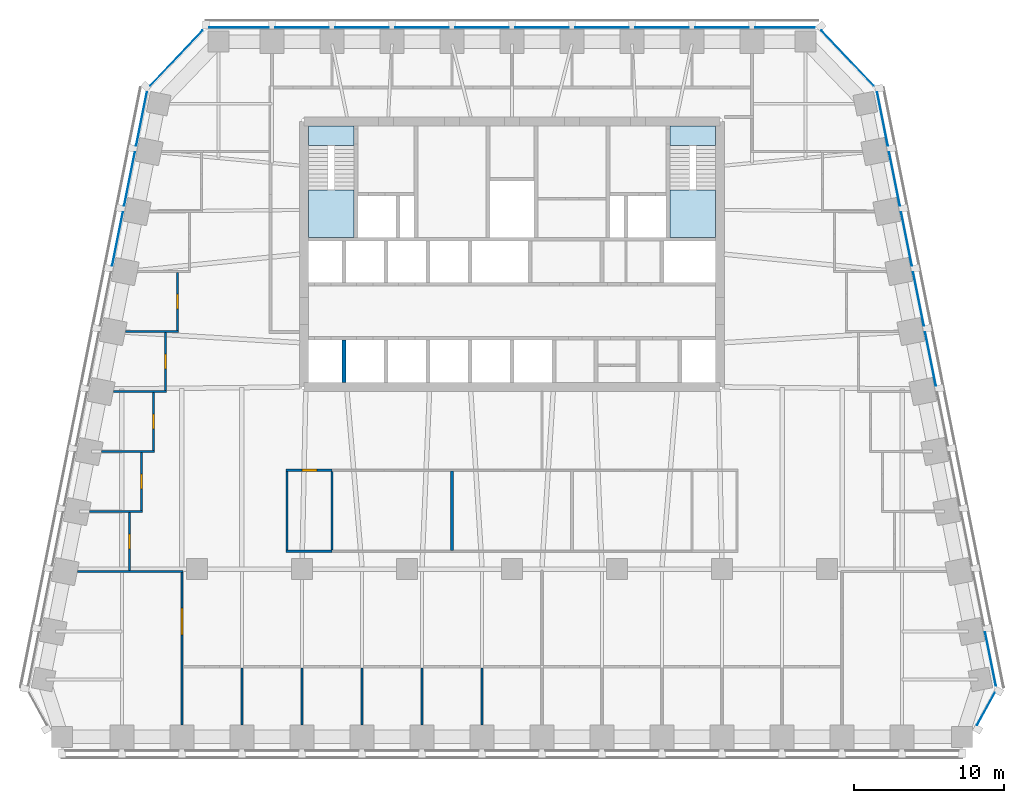
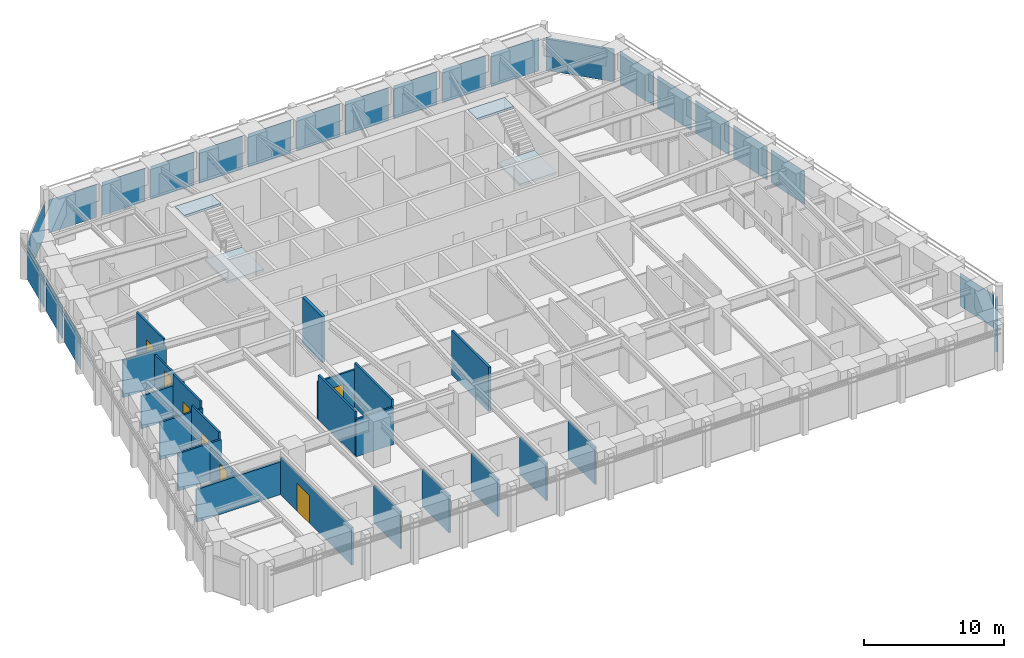
# One storey, part 5 of 11: 22 plates, 22 walls, 7 doors, 4 slabs, 7 openings, 8 elements without a shape of their own.
"""IFC4 building model written with IfcOpenShell, lengths in metres."""

from ifc_helpers import new_model, si_unit, direction, frame, frame_2d, origin, origin_2d, place, context, subcontext, project, spatial, polyline, rectangle, outline, extrude, material, layer, layer_set, type_object, element, fill, aggregate, save


model = new_model("IFC4")

# Units and contexts
model_context = context("Model", 3, precision=1e-05, world=origin(), true_north=direction((0.0, 1.0)))
body_context = subcontext(model_context, "Body", "Model", "MODEL_VIEW")
ifc_project = project(units=[si_unit("LENGTHUNIT", "METRE"), si_unit("AREAUNIT", "SQUARE_METRE"), si_unit("VOLUMEUNIT", "CUBIC_METRE"), si_unit("PLANEANGLEUNIT", "RADIAN"), si_unit("MASSUNIT", "GRAM", prefix="KILO")], contexts=[model_context])

# Site, building, storey
site_placement = place(None, origin())
site = spatial("IfcSite", under=ifc_project, at=site_placement, CompositionType="ELEMENT")
building_placement = place(site_placement, origin())
building = spatial("IfcBuilding", under=site, at=building_placement, Name="Isbrekke Arena Tower", CompositionType="ELEMENT")
storey_placement = place(building_placement, frame((0.0, 0.0, 206.0)))
storey = spatial("IfcBuildingStorey", under=building, at=storey_placement, Name="L47", CompositionType="ELEMENT", Elevation=206.0)

# Curtain wall, plate
ifc_material_1 = material(Name="Glazed aluminium curtain wall", Category="aluminium")
curtain_wall_type = type_object("IfcCurtainWallType", Name="CWH TOWER CURTAIN WALL HIGH ZONE", PredefinedType="USERDEFINED", material=ifc_material_1)
curtain_wall_1_placement = place(storey_placement, origin())
curtain_wall_1 = element("IfcCurtainWall", 1, at=curtain_wall_1_placement, inside=storey, type_object=curtain_wall_type, Name="CWH curtain wall L47-SE", ObjectType="TOWER CURTAIN WALL HIGH ZONE", PredefinedType="USERDEFINED")
ifc_material_2 = material(Name="Triple-glazed clear glass unit", Category="glass")
ifc_layer_1 = layer(ifc_material_2, 0.031982421875)
ifc_layer_set_1 = layer_set([ifc_layer_1], Name="CWH-P VISION PANEL")
plate_type = type_object("IfcPlateType", Name="CWH-P VISION PANEL", PredefinedType="CURTAIN_PANEL", material=ifc_layer_set_1)
plate_1_placement = place(storey_placement, frame((31.5908203125, -15.3154296875, 0.02001953125), z_axis=(0.0, 0.0, 1.0), x_axis=(0.481918749773, 0.876215908676, 0.0)))
plate_1 = element("IfcPlate", 2, at=plate_1_placement, type_object=plate_type, Name="CWH-P panel 1", PredefinedType="CURTAIN_PANEL", context=body_context, shape_type="SweptSolid", body=[
    extrude(rectangle(XDim=2.4423828125, YDim=0.031982421875, at=origin_2d()), origin(), (0.0, 0.0, 1.0), 2.8798828125),
])
aggregate(curtain_wall_1, [plate_1])

# Curtain wall, plates
curtain_wall_2_placement = place(storey_placement, origin())
curtain_wall_2 = element("IfcCurtainWall", 3, at=curtain_wall_2_placement, inside=storey, type_object=curtain_wall_type, Name="CWH curtain wall L47-E", ObjectType="TOWER CURTAIN WALL HIGH ZONE", PredefinedType="USERDEFINED")
plate_2_placement = place(storey_placement, frame((31.89794921875, -11.98046875, 0.02001953125), z_axis=(0.0, 0.0, 1.0), x_axis=(-0.196116135138, 0.980580675691, 0.0)))
plate_2 = element("IfcPlate", 4, at=plate_2_placement, type_object=plate_type, Name="CWH-P panel 1", PredefinedType="CURTAIN_PANEL", context=body_context, shape_type="SweptSolid", body=[
    extrude(rectangle(XDim=3.629150390625, YDim=0.031982421875, at=origin_2d()), origin(), (0.0, 0.0, 1.0), 2.8798828125),
])
plate_3_placement = place(storey_placement, frame((27.89794921875, 8.01953125, 0.02001953125), z_axis=(0.0, 0.0, 1.0), x_axis=(-0.196116135138, 0.980580675691, 0.0)))
plate_3 = element("IfcPlate", 5, at=plate_3_placement, type_object=plate_type, Name="CWH-P panel 6", PredefinedType="CURTAIN_PANEL", context=body_context, shape_type="SweptSolid", body=[
    extrude(rectangle(XDim=3.629150390625, YDim=0.031982421875, at=origin_2d()), origin(), (0.0, 0.0, 1.0), 2.8798828125),
])
plate_4_placement = place(storey_placement, frame((27.09814453125, 12.01953125, 0.02001953125), z_axis=(0.0, 0.0, 1.0), x_axis=(-0.196116135138, 0.980580675691, 0.0)))
plate_4 = element("IfcPlate", 6, at=plate_4_placement, type_object=plate_type, Name="CWH-P panel 7", PredefinedType="CURTAIN_PANEL", context=body_context, shape_type="SweptSolid", body=[
    extrude(rectangle(XDim=3.629150390625, YDim=0.031982421875, at=origin_2d()), origin(), (0.0, 0.0, 1.0), 2.8798828125),
])
plate_5_placement = place(storey_placement, frame((26.298095703125, 16.01953125, 0.02001953125), z_axis=(0.0, 0.0, 1.0), x_axis=(-0.196116135138, 0.980580675691, 0.0)))
plate_5 = element("IfcPlate", 7, at=plate_5_placement, type_object=plate_type, Name="CWH-P panel 8", PredefinedType="CURTAIN_PANEL", context=body_context, shape_type="SweptSolid", body=[
    extrude(rectangle(XDim=3.629150390625, YDim=0.031982421875, at=origin_2d()), origin(), (0.0, 0.0, 1.0), 2.8798828125),
])
plate_6_placement = place(storey_placement, frame((25.498046875, 20.01953125, 0.02001953125), z_axis=(0.0, 0.0, 1.0), x_axis=(-0.196116135138, 0.980580675691, 0.0)))
plate_6 = element("IfcPlate", 8, at=plate_6_placement, type_object=plate_type, Name="CWH-P panel 9", PredefinedType="CURTAIN_PANEL", context=body_context, shape_type="SweptSolid", body=[
    extrude(rectangle(XDim=3.629150390625, YDim=0.031982421875, at=origin_2d()), origin(), (0.0, 0.0, 1.0), 2.8798828125),
])
plate_7_placement = place(storey_placement, frame((24.697998046875, 24.01953125, 0.02001953125), z_axis=(0.0, 0.0, 1.0), x_axis=(-0.196116135138, 0.980580675691, 0.0)))
plate_7 = element("IfcPlate", 9, at=plate_7_placement, type_object=plate_type, Name="CWH-P panel 10", PredefinedType="CURTAIN_PANEL", context=body_context, shape_type="SweptSolid", body=[
    extrude(rectangle(XDim=3.629150390625, YDim=0.031982421875, at=origin_2d()), origin(), (0.0, 0.0, 1.0), 2.8798828125),
])
aggregate(curtain_wall_2, [plate_2, plate_3, plate_4, plate_5, plate_6, plate_7])

# Curtain wall, plate
curtain_wall_3_placement = place(storey_placement, origin())
curtain_wall_3 = element("IfcCurtainWall", 10, at=curtain_wall_3_placement, inside=storey, type_object=curtain_wall_type, Name="CWH curtain wall L47-EN", ObjectType="TOWER CURTAIN WALL HIGH ZONE", PredefinedType="USERDEFINED")
plate_8_placement = place(storey_placement, frame((22.37255859375, 28.06884765625, 0.02001953125), z_axis=(0.0, 0.0, 1.0), x_axis=(-0.68874946192, 0.72499943359, 0.0)))
plate_8 = element("IfcPlate", 11, at=plate_8_placement, type_object=plate_type, Name="CWH-P panel 1", PredefinedType="CURTAIN_PANEL", context=body_context, shape_type="SweptSolid", body=[
    extrude(rectangle(XDim=5.067138671875, YDim=0.031982421875, at=origin_2d()), origin(), (0.0, 0.0, 1.0), 2.8798828125),
])
aggregate(curtain_wall_3, [plate_8])

# Curtain wall, plates
curtain_wall_4_placement = place(storey_placement, origin())
curtain_wall_4 = element("IfcCurtainWall", 12, at=curtain_wall_4_placement, inside=storey, type_object=curtain_wall_type, Name="CWH curtain wall L47-N", ObjectType="TOWER CURTAIN WALL HIGH ZONE", PredefinedType="USERDEFINED")
plate_9_placement = place(storey_placement, frame((18.199951171875, 30.10009765625, 0.02001953125), z_axis=(0.0, 0.0, 1.0), x_axis=(-1.0, 0.0, 0.0)))
plate_9 = element("IfcPlate", 13, at=plate_9_placement, type_object=plate_type, Name="CWH-P panel 1", PredefinedType="CURTAIN_PANEL", context=body_context, shape_type="SweptSolid", body=[
    extrude(rectangle(XDim=3.949951171875, YDim=0.031982421875, at=origin_2d()), origin(), (0.0, 0.0, 1.0), 2.8798828125),
])
plate_10_placement = place(storey_placement, frame((14.0, 30.10009765625, 0.02001953125), z_axis=(0.0, 0.0, 1.0), x_axis=(-1.0, 0.0, 0.0)))
plate_10 = element("IfcPlate", 14, at=plate_10_placement, type_object=plate_type, Name="CWH-P panel 2", PredefinedType="CURTAIN_PANEL", context=body_context, shape_type="SweptSolid", body=[
    extrude(rectangle(XDim=3.550048828125, YDim=0.031982421875, at=origin_2d()), origin(), (0.0, 0.0, 1.0), 2.8798828125),
])
plate_11_placement = place(storey_placement, frame((10.0, 30.10009765625, 0.02001953125), z_axis=(0.0, 0.0, 1.0), x_axis=(-1.0, 0.0, 0.0)))
plate_11 = element("IfcPlate", 15, at=plate_11_placement, type_object=plate_type, Name="CWH-P panel 3", PredefinedType="CURTAIN_PANEL", context=body_context, shape_type="SweptSolid", body=[
    extrude(rectangle(XDim=3.550048828125, YDim=0.031982421875, at=origin_2d()), origin(), (0.0, 0.0, 1.0), 2.8798828125),
])
plate_12_placement = place(storey_placement, frame((6.0, 30.10009765625, 0.02001953125), z_axis=(0.0, 0.0, 1.0), x_axis=(-1.0, 0.0, 0.0)))
plate_12 = element("IfcPlate", 16, at=plate_12_placement, type_object=plate_type, Name="CWH-P panel 4", PredefinedType="CURTAIN_PANEL", context=body_context, shape_type="SweptSolid", body=[
    extrude(rectangle(XDim=3.550048828125, YDim=0.031982421875, at=origin_2d()), origin(), (0.0, 0.0, 1.0), 2.8798828125),
])
plate_13_placement = place(storey_placement, frame((2.0, 30.10009765625, 0.02001953125), z_axis=(0.0, 0.0, 1.0), x_axis=(-1.0, 0.0, 0.0)))
plate_13 = element("IfcPlate", 17, at=plate_13_placement, type_object=plate_type, Name="CWH-P panel 5", PredefinedType="CURTAIN_PANEL", context=body_context, shape_type="SweptSolid", body=[
    extrude(rectangle(XDim=3.550048828125, YDim=0.031982421875, at=origin_2d()), origin(), (0.0, 0.0, 1.0), 2.8798828125),
])
plate_14_placement = place(storey_placement, frame((-2.0, 30.10009765625, 0.02001953125), z_axis=(0.0, 0.0, 1.0), x_axis=(-1.0, 0.0, 0.0)))
plate_14 = element("IfcPlate", 18, at=plate_14_placement, type_object=plate_type, Name="CWH-P panel 6", PredefinedType="CURTAIN_PANEL", context=body_context, shape_type="SweptSolid", body=[
    extrude(rectangle(XDim=3.550048828125, YDim=0.031982421875, at=origin_2d()), origin(), (0.0, 0.0, 1.0), 2.8798828125),
])
plate_15_placement = place(storey_placement, frame((-6.0, 30.10009765625, 0.02001953125), z_axis=(0.0, 0.0, 1.0), x_axis=(-1.0, 0.0, 0.0)))
plate_15 = element("IfcPlate", 19, at=plate_15_placement, type_object=plate_type, Name="CWH-P panel 7", PredefinedType="CURTAIN_PANEL", context=body_context, shape_type="SweptSolid", body=[
    extrude(rectangle(XDim=3.550048828125, YDim=0.031982421875, at=origin_2d()), origin(), (0.0, 0.0, 1.0), 2.8798828125),
])
plate_16_placement = place(storey_placement, frame((-10.0, 30.10009765625, 0.02001953125), z_axis=(0.0, 0.0, 1.0), x_axis=(-1.0, 0.0, 0.0)))
plate_16 = element("IfcPlate", 20, at=plate_16_placement, type_object=plate_type, Name="CWH-P panel 8", PredefinedType="CURTAIN_PANEL", context=body_context, shape_type="SweptSolid", body=[
    extrude(rectangle(XDim=3.550048828125, YDim=0.031982421875, at=origin_2d()), origin(), (0.0, 0.0, 1.0), 2.8798828125),
])
plate_17_placement = place(storey_placement, frame((-14.0, 30.10009765625, 0.02001953125), z_axis=(0.0, 0.0, 1.0), x_axis=(-1.0, 0.0, 0.0)))
plate_17 = element("IfcPlate", 21, at=plate_17_placement, type_object=plate_type, Name="CWH-P panel 9", PredefinedType="CURTAIN_PANEL", context=body_context, shape_type="SweptSolid", body=[
    extrude(rectangle(XDim=3.550048828125, YDim=0.031982421875, at=origin_2d()), origin(), (0.0, 0.0, 1.0), 2.8798828125),
])
plate_18_placement = place(storey_placement, frame((-18.199951171875, 30.10009765625, 0.02001953125), z_axis=(0.0, 0.0, 1.0), x_axis=(-1.0, 0.0, 0.0)))
plate_18 = element("IfcPlate", 22, at=plate_18_placement, type_object=plate_type, Name="CWH-P panel 10", PredefinedType="CURTAIN_PANEL", context=body_context, shape_type="SweptSolid", body=[
    extrude(rectangle(XDim=3.949951171875, YDim=0.031982421875, at=origin_2d()), origin(), (0.0, 0.0, 1.0), 2.8798828125),
])
aggregate(curtain_wall_4, [plate_9, plate_10, plate_11, plate_12, plate_13, plate_14, plate_15, plate_16, plate_17, plate_18])

# Curtain wall, plate
curtain_wall_5_placement = place(storey_placement, origin())
curtain_wall_5 = element("IfcCurtainWall", 23, at=curtain_wall_5_placement, inside=storey, type_object=curtain_wall_type, Name="CWH curtain wall L47-NW", ObjectType="TOWER CURTAIN WALL HIGH ZONE", PredefinedType="USERDEFINED")
plate_19_placement = place(storey_placement, frame((-22.37255859375, 28.06884765625, 0.02001953125), z_axis=(0.0, 0.0, 1.0), x_axis=(-0.68874946192, -0.72499943359, 0.0)))
plate_19 = element("IfcPlate", 24, at=plate_19_placement, type_object=plate_type, Name="CWH-P panel 1", PredefinedType="CURTAIN_PANEL", context=body_context, shape_type="SweptSolid", body=[
    extrude(rectangle(XDim=5.067138671875, YDim=0.031982421875, at=origin_2d()), origin(), (0.0, 0.0, 1.0), 2.8798828125),
])
aggregate(curtain_wall_5, [plate_19])

# Curtain wall, plates
curtain_wall_6_placement = place(storey_placement, origin())
curtain_wall_6 = element("IfcCurtainWall", 25, at=curtain_wall_6_placement, inside=storey, type_object=curtain_wall_type, Name="CWH curtain wall L47-W", ObjectType="TOWER CURTAIN WALL HIGH ZONE", PredefinedType="USERDEFINED")
plate_20_placement = place(storey_placement, frame((-24.697998046875, 24.01953125, 0.02001953125), z_axis=(0.0, 0.0, 1.0), x_axis=(-0.196116135138, -0.980580675691, 0.0)))
plate_20 = element("IfcPlate", 26, at=plate_20_placement, type_object=plate_type, Name="CWH-P panel 1", PredefinedType="CURTAIN_PANEL", context=body_context, shape_type="SweptSolid", body=[
    extrude(rectangle(XDim=3.629150390625, YDim=0.031982421875, at=origin_2d()), origin(), (0.0, 0.0, 1.0), 2.8798828125),
])
plate_21_placement = place(storey_placement, frame((-25.498046875, 20.01953125, 0.02001953125), z_axis=(0.0, 0.0, 1.0), x_axis=(-0.196116135138, -0.980580675691, 0.0)))
plate_21 = element("IfcPlate", 27, at=plate_21_placement, type_object=plate_type, Name="CWH-P panel 2", PredefinedType="CURTAIN_PANEL", context=body_context, shape_type="SweptSolid", body=[
    extrude(rectangle(XDim=3.629150390625, YDim=0.031982421875, at=origin_2d()), origin(), (0.0, 0.0, 1.0), 2.8798828125),
])
plate_22_placement = place(storey_placement, frame((-26.298095703125, 16.01953125, 0.02001953125), z_axis=(0.0, 0.0, 1.0), x_axis=(-0.196116135138, -0.980580675691, 0.0)))
plate_22 = element("IfcPlate", 28, at=plate_22_placement, type_object=plate_type, Name="CWH-P panel 3", PredefinedType="CURTAIN_PANEL", context=body_context, shape_type="SweptSolid", body=[
    extrude(rectangle(XDim=3.629150390625, YDim=0.031982421875, at=origin_2d()), origin(), (0.0, 0.0, 1.0), 2.8798828125),
])
aggregate(curtain_wall_6, [plate_20, plate_21, plate_22])

# Stair, slabs
ifc_material_3 = material(Name="Concrete B45 (C45/55) precast", Category="concrete")
stair_type = type_object("IfcStairType", Name="ST40 STAIR 1300 WIDE, 24 RISERS 167", PredefinedType="HALF_TURN_STAIR", material=ifc_material_3)
stair_1_placement = place(storey_placement, origin())
stair_1 = element("IfcStair", 29, at=stair_1_placement, inside=storey, type_object=stair_type, Name="ST1 stair L47", PredefinedType="HALF_TURN_STAIR")
ifc_material_4 = material(Name="Concrete B35 (C35/45)", Category="concrete")
ifc_layer_2 = layer(ifc_material_4, 0.199951171875)
ifc_layer_set_2 = layer_set([ifc_layer_2], Name="SL1 STAIR LANDING 200")
slab_type = type_object("IfcSlabType", Name="SL1 STAIR LANDING 200", PredefinedType="LANDING", material=ifc_layer_set_2)
slab_1_placement = place(storey_placement, frame((0.0, 0.0, 1.800048828125)))
slab_1 = element("IfcSlab", 30, at=slab_1_placement, type_object=slab_type, Name="ST1 landing 1", PredefinedType="LANDING", context=body_context, shape_type="SweptSolid", body=[
    extrude(outline(polyline([(-13.550048828125, 16.125), (-10.52490234375, 16.125), (-10.52490234375, 19.280029296875), (-13.550048828125, 19.280029296875), (-13.550048828125, 16.125)])), origin(), (0.0, 0.0, 1.0), 0.199951171875),
])
slab_2_placement = place(storey_placement, frame((0.0, 0.0, 3.800048828125)))
slab_2 = element("IfcSlab", 31, at=slab_2_placement, type_object=slab_type, Name="ST1 landing 2", PredefinedType="LANDING", context=body_context, shape_type="SweptSolid", body=[
    extrude(outline(polyline([(-13.550048828125, 22.25), (-10.52490234375, 22.25), (-10.52490234375, 23.550048828125), (-13.550048828125, 23.550048828125), (-13.550048828125, 22.25)])), origin(), (0.0, 0.0, 1.0), 0.199951171875),
])
aggregate(stair_1, [slab_1, slab_2])

stair_2_placement = place(storey_placement, origin())
stair_2 = element("IfcStair", 32, at=stair_2_placement, inside=storey, type_object=stair_type, Name="ST2 stair L47", PredefinedType="HALF_TURN_STAIR")
slab_3_placement = place(storey_placement, frame((0.0, 0.0, 1.800048828125)))
slab_3 = element("IfcSlab", 33, at=slab_3_placement, type_object=slab_type, Name="ST2 landing 1", PredefinedType="LANDING", context=body_context, shape_type="SweptSolid", body=[
    extrude(outline(polyline([(10.52490234375, 16.125), (13.550048828125, 16.125), (13.550048828125, 19.280029296875), (10.52490234375, 19.280029296875), (10.52490234375, 16.125)])), origin(), (0.0, 0.0, 1.0), 0.199951171875),
])
slab_4_placement = place(storey_placement, frame((0.0, 0.0, 3.800048828125)))
slab_4 = element("IfcSlab", 34, at=slab_4_placement, type_object=slab_type, Name="ST2 landing 2", PredefinedType="LANDING", context=body_context, shape_type="SweptSolid", body=[
    extrude(outline(polyline([(10.52490234375, 22.25), (13.550048828125, 22.25), (13.550048828125, 23.550048828125), (10.52490234375, 23.550048828125), (10.52490234375, 22.25)])), origin(), (0.0, 0.0, 1.0), 0.199951171875),
])
aggregate(stair_2, [slab_3, slab_4])

# Walls
ifc_material_5 = material(Name="Concrete B45 (C45/55)", Category="concrete")
ifc_layer_3 = layer(ifc_material_5, 0.25)
ifc_layer_set_3 = layer_set([ifc_layer_3], Name="CW6 SHAFT WALL 250")
wall_type_1 = type_object("IfcWallType", Name="CW6 SHAFT WALL 250", PredefinedType="SHEAR", material=ifc_layer_set_3)
wall_1_placement = place(storey_placement, frame((-11.199951171875, 6.449951171875, 0.0), z_axis=(0.0, 0.0, 1.0), x_axis=(0.0, 1.0, 0.0)))
element("IfcWall", 35, at=wall_1_placement, inside=storey, type_object=wall_type_1, Name="Core wall SS01 L47", PredefinedType="SHEAR", context=body_context, shape_type="SweptSolid", body=[
    extrude(rectangle(XDim=2.824951171875, YDim=0.25, at=frame_2d((1.41259765625, 0.0))), origin(), (0.0, 0.0, 1.0), 4.0),
])
ifc_material_6 = material(Name="Gypsum board partition on steel studs", Category="steel")
ifc_layer_4 = layer(ifc_material_6, 0.14990234375)
ifc_layer_set_4 = layer_set([ifc_layer_4], Name="IW1 PARTITION 150")
wall_type_2 = type_object("IfcWallType", Name="IW1 PARTITION 150", PredefinedType="PARTITIONING", material=ifc_layer_set_4)
wall_2_placement = place(storey_placement, frame((-28.974853515625, -6.159912109375, 0.0), z_axis=(0.0, 0.0, 1.0), x_axis=(1.0, 0.0, 0.0)))
element("IfcWall", 36, at=wall_2_placement, inside=storey, type_object=wall_type_2, Name="IW1 partition 150 L47", PredefinedType="PARTITIONING", context=body_context, shape_type="SweptSolid", body=[
    extrude(rectangle(XDim=7.0498046875, YDim=0.14990234375, at=frame_2d((3.52490234375, 0.0))), origin(), (0.0, 0.0, 1.0), 2.842041015625),
])
wall_3_placement = place(storey_placement, frame((-15.074951171875, -4.800048828125, 0.0), z_axis=(0.0, 0.0, 1.0), x_axis=(1.0, 0.0, 0.0)))
element("IfcWall", 37, at=wall_3_placement, inside=storey, type_object=wall_type_2, Name="IW1 partition 150 L47", PredefinedType="PARTITIONING", context=body_context, shape_type="SweptSolid", body=[
    extrude(rectangle(XDim=3.074951171875, YDim=0.14990234375, at=frame_2d((1.53759765625, 0.0))), origin(), (0.0, 0.0, 1.0), 3.25),
])
wall_4_placement = place(storey_placement, frame((-28.1748046875, -2.159912109375, 0.0), z_axis=(0.0, 0.0, 1.0), x_axis=(1.0, 0.0, 0.0)))
element("IfcWall", 38, at=wall_4_placement, inside=storey, type_object=wall_type_2, Name="IW1 partition 150 L47", PredefinedType="PARTITIONING", context=body_context, shape_type="SweptSolid", body=[
    extrude(rectangle(XDim=3.5498046875, YDim=0.14990234375, at=frame_2d((1.77490234375, 0.0))), origin(), (0.0, 0.0, 1.0), 3.25),
])

# Wall, opening, door
wall_5_placement = place(storey_placement, frame((-15.074951171875, 0.60009765625, 0.0), z_axis=(0.0, 0.0, 1.0), x_axis=(1.0, 0.0, 0.0)))
wall_5 = element("IfcWall", 39, at=wall_5_placement, inside=storey, type_object=wall_type_2, Name="IW1 partition 150 L47", PredefinedType="PARTITIONING", context=body_context, shape_type="SweptSolid", body=[
    extrude(rectangle(XDim=3.074951171875, YDim=0.14990234375, at=frame_2d((1.53759765625, 0.0))), origin(), (0.0, 0.0, 1.0), 3.25),
])
opening_1_placement = place(wall_5_placement, frame((1.074951171875, 0.0, 0.0)))
opening_1 = element("IfcOpeningElement", 40, at=opening_1_placement, cuts=wall_5, Name="Opening D10", PredefinedType="OPENING", context=body_context, shape_type="SweptSolid", body=[
    extrude(rectangle(XDim=1.0, YDim=2.300048828125, at=frame_2d((0.5, 1.14990234375))), frame((0.0, 0.08984375, 0.0), z_axis=(0.0, -1.0, 0.0), x_axis=(1.0, 0.0, 0.0)), (0.0, 0.0, 1.0), 0.1796875),
])
ifc_material_7 = material(Name="Timber door", Category="wood")
door_type_1 = type_object("IfcDoorType", Name="D10 OFFICE DOOR 1000 x 2300", OperationType="SINGLE_SWING_LEFT", PredefinedType="DOOR", material=ifc_material_7)
door_1_placement = place(opening_1_placement, origin())
door_1 = element("IfcDoor", 41, at=door_1_placement, inside=storey, type_object=door_type_1, Name="D10 pantry door L47", OperationType="SINGLE_SWING_LEFT", OverallHeight=2.300048828125, OverallWidth=1.0, PredefinedType="DOOR", context=body_context, shape_type="SweptSolid", body=[
    extrude(rectangle(XDim=1.0, YDim=2.300048828125, at=frame_2d((0.5, 1.14990234375))), frame((0.0, 0.07470703125, 0.0), z_axis=(0.0, -1.0, 0.0), x_axis=(1.0, 0.0, 0.0)), (0.0, 0.0, 1.0), 0.1494140625),
])
fill(opening_1, door_1)

# Walls
wall_6_placement = place(storey_placement, frame((-27.374755859375, 1.840087890625, 0.0), z_axis=(0.0, 0.0, 1.0), x_axis=(1.0, 0.0, 0.0)))
element("IfcWall", 42, at=wall_6_placement, inside=storey, type_object=wall_type_2, Name="IW1 partition 150 L47", PredefinedType="PARTITIONING", context=body_context, shape_type="SweptSolid", body=[
    extrude(rectangle(XDim=3.5498046875, YDim=0.14990234375, at=frame_2d((1.77490234375, 0.0))), origin(), (0.0, 0.0, 1.0), 3.25),
])
wall_7_placement = place(storey_placement, frame((-26.57470703125, 5.840087890625, 0.0), z_axis=(0.0, 0.0, 1.0), x_axis=(1.0, 0.0, 0.0)))
element("IfcWall", 43, at=wall_7_placement, inside=storey, type_object=wall_type_2, Name="IW1 partition 150 L47", PredefinedType="PARTITIONING", context=body_context, shape_type="SweptSolid", body=[
    extrude(rectangle(XDim=3.5498046875, YDim=0.14990234375, at=frame_2d((1.77490234375, 0.0))), origin(), (0.0, 0.0, 1.0), 2.842041015625),
])
wall_8_placement = place(storey_placement, frame((-25.77490234375, 9.840087890625, 0.0), z_axis=(0.0, 0.0, 1.0), x_axis=(1.0, 0.0, 0.0)))
element("IfcWall", 44, at=wall_8_placement, inside=storey, type_object=wall_type_2, Name="IW1 partition 150 L47", PredefinedType="PARTITIONING", context=body_context, shape_type="SweptSolid", body=[
    extrude(rectangle(XDim=3.5498046875, YDim=0.14990234375, at=frame_2d((1.77490234375, 0.0))), origin(), (0.0, 0.0, 1.0), 3.25),
])

# Wall, opening, door
wall_9_placement = place(storey_placement, frame((-25.5, -6.0849609375, 0.0), z_axis=(0.0, 0.0, 1.0), x_axis=(0.0, 1.0, 0.0)))
wall_9 = element("IfcWall", 45, at=wall_9_placement, inside=storey, type_object=wall_type_2, Name="IW1 partition 150 L47", PredefinedType="PARTITIONING", context=body_context, shape_type="SweptSolid", body=[
    extrude(rectangle(XDim=3.849853515625, YDim=0.14990234375, at=frame_2d((1.9248046875, 0.0))), origin(), (0.0, 0.0, 1.0), 2.842041015625),
])
opening_2_placement = place(wall_9_placement, frame((1.425048828125, 0.0, 0.0)))
opening_2 = element("IfcOpeningElement", 46, at=opening_2_placement, cuts=wall_9, Name="Opening D10", PredefinedType="OPENING", context=body_context, shape_type="SweptSolid", body=[
    extrude(rectangle(XDim=1.0, YDim=2.300048828125, at=frame_2d((0.5, 1.14990234375))), frame((0.0, 0.08984375, 0.0), z_axis=(0.0, -1.0, 0.0), x_axis=(1.0, 0.0, 0.0)), (0.0, 0.0, 1.0), 0.1796875),
])
door_2_placement = place(opening_2_placement, origin())
door_2 = element("IfcDoor", 47, at=door_2_placement, inside=storey, type_object=door_type_1, Name="D10 office door L47", OperationType="SINGLE_SWING_LEFT", OverallHeight=2.300048828125, OverallWidth=1.0, PredefinedType="DOOR", context=body_context, shape_type="SweptSolid", body=[
    extrude(rectangle(XDim=1.0, YDim=2.300048828125, at=frame_2d((0.5, 1.14990234375))), frame((0.0, 0.07470703125, 0.0), z_axis=(0.0, -1.0, 0.0), x_axis=(1.0, 0.0, 0.0)), (0.0, 0.0, 1.0), 0.1494140625),
])
fill(opening_2, door_2)

wall_10_placement = place(storey_placement, frame((-24.699951171875, -2.0849609375, 0.0), z_axis=(0.0, 0.0, 1.0), x_axis=(0.0, 1.0, 0.0)))
wall_10 = element("IfcWall", 48, at=wall_10_placement, inside=storey, type_object=wall_type_2, Name="IW1 partition 150 L47", PredefinedType="PARTITIONING", context=body_context, shape_type="SweptSolid", body=[
    extrude(rectangle(XDim=3.849853515625, YDim=0.14990234375, at=frame_2d((1.9248046875, 0.0))), origin(), (0.0, 0.0, 1.0), 3.85009765625),
])
opening_3_placement = place(wall_10_placement, frame((1.425048828125, 0.0, 0.0)))
opening_3 = element("IfcOpeningElement", 49, at=opening_3_placement, cuts=wall_10, Name="Opening D10", PredefinedType="OPENING", context=body_context, shape_type="SweptSolid", body=[
    extrude(rectangle(XDim=1.0, YDim=2.300048828125, at=frame_2d((0.5, 1.14990234375))), frame((0.0, 0.08984375, 0.0), z_axis=(0.0, -1.0, 0.0), x_axis=(1.0, 0.0, 0.0)), (0.0, 0.0, 1.0), 0.1796875),
])
door_3_placement = place(opening_3_placement, origin())
door_3 = element("IfcDoor", 50, at=door_3_placement, inside=storey, type_object=door_type_1, Name="D10 office door L47", OperationType="SINGLE_SWING_LEFT", OverallHeight=2.300048828125, OverallWidth=1.0, PredefinedType="DOOR", context=body_context, shape_type="SweptSolid", body=[
    extrude(rectangle(XDim=1.0, YDim=2.300048828125, at=frame_2d((0.5, 1.14990234375))), frame((0.0, 0.07470703125, 0.0), z_axis=(0.0, -1.0, 0.0), x_axis=(1.0, 0.0, 0.0)), (0.0, 0.0, 1.0), 0.1494140625),
])
fill(opening_3, door_3)

wall_11_placement = place(storey_placement, frame((-23.89990234375, 1.9150390625, 0.0), z_axis=(0.0, 0.0, 1.0), x_axis=(0.0, 1.0, 0.0)))
wall_11 = element("IfcWall", 51, at=wall_11_placement, inside=storey, type_object=wall_type_2, Name="IW1 partition 150 L47", PredefinedType="PARTITIONING", context=body_context, shape_type="SweptSolid", body=[
    extrude(rectangle(XDim=3.849853515625, YDim=0.14990234375, at=frame_2d((1.9248046875, 0.0))), origin(), (0.0, 0.0, 1.0), 3.85009765625),
])
opening_4_placement = place(wall_11_placement, frame((1.425048828125, 0.0, 0.0)))
opening_4 = element("IfcOpeningElement", 52, at=opening_4_placement, cuts=wall_11, Name="Opening D10", PredefinedType="OPENING", context=body_context, shape_type="SweptSolid", body=[
    extrude(rectangle(XDim=1.0, YDim=2.300048828125, at=frame_2d((0.5, 1.14990234375))), frame((0.0, 0.08984375, 0.0), z_axis=(0.0, -1.0, 0.0), x_axis=(1.0, 0.0, 0.0)), (0.0, 0.0, 1.0), 0.1796875),
])
door_4_placement = place(opening_4_placement, origin())
door_4 = element("IfcDoor", 53, at=door_4_placement, inside=storey, type_object=door_type_1, Name="D10 office door L47", OperationType="SINGLE_SWING_LEFT", OverallHeight=2.300048828125, OverallWidth=1.0, PredefinedType="DOOR", context=body_context, shape_type="SweptSolid", body=[
    extrude(rectangle(XDim=1.0, YDim=2.300048828125, at=frame_2d((0.5, 1.14990234375))), frame((0.0, 0.07470703125, 0.0), z_axis=(0.0, -1.0, 0.0), x_axis=(1.0, 0.0, 0.0)), (0.0, 0.0, 1.0), 0.1494140625),
])
fill(opening_4, door_4)

wall_12_placement = place(storey_placement, frame((-23.10009765625, 5.9150390625, 0.0), z_axis=(0.0, 0.0, 1.0), x_axis=(0.0, 1.0, 0.0)))
wall_12 = element("IfcWall", 54, at=wall_12_placement, inside=storey, type_object=wall_type_2, Name="IW1 partition 150 L47", PredefinedType="PARTITIONING", context=body_context, shape_type="SweptSolid", body=[
    extrude(rectangle(XDim=3.849853515625, YDim=0.14990234375, at=frame_2d((1.9248046875, 0.0))), origin(), (0.0, 0.0, 1.0), 2.842041015625),
])
opening_5_placement = place(wall_12_placement, frame((1.425048828125, 0.0, 0.0)))
opening_5 = element("IfcOpeningElement", 55, at=opening_5_placement, cuts=wall_12, Name="Opening D10", PredefinedType="OPENING", context=body_context, shape_type="SweptSolid", body=[
    extrude(rectangle(XDim=1.0, YDim=2.300048828125, at=frame_2d((0.5, 1.14990234375))), frame((0.0, 0.08984375, 0.0), z_axis=(0.0, -1.0, 0.0), x_axis=(1.0, 0.0, 0.0)), (0.0, 0.0, 1.0), 0.1796875),
])
door_5_placement = place(opening_5_placement, origin())
door_5 = element("IfcDoor", 56, at=door_5_placement, inside=storey, type_object=door_type_1, Name="D10 office door L47", OperationType="SINGLE_SWING_LEFT", OverallHeight=2.300048828125, OverallWidth=1.0, PredefinedType="DOOR", context=body_context, shape_type="SweptSolid", body=[
    extrude(rectangle(XDim=1.0, YDim=2.300048828125, at=frame_2d((0.5, 1.14990234375))), frame((0.0, 0.07470703125, 0.0), z_axis=(0.0, -1.0, 0.0), x_axis=(1.0, 0.0, 0.0)), (0.0, 0.0, 1.0), 0.1494140625),
])
fill(opening_5, door_5)

wall_13_placement = place(storey_placement, frame((-22.300048828125, 9.9150390625, 0.0), z_axis=(0.0, 0.0, 1.0), x_axis=(0.0, 1.0, 0.0)))
wall_13 = element("IfcWall", 57, at=wall_13_placement, inside=storey, type_object=wall_type_2, Name="IW1 partition 150 L47", PredefinedType="PARTITIONING", context=body_context, shape_type="SweptSolid", body=[
    extrude(rectangle(XDim=3.849853515625, YDim=0.14990234375, at=frame_2d((1.9248046875, 0.0))), origin(), (0.0, 0.0, 1.0), 3.85009765625),
])
opening_6_placement = place(wall_13_placement, frame((1.425048828125, 0.0, 0.0)))
opening_6 = element("IfcOpeningElement", 58, at=opening_6_placement, cuts=wall_13, Name="Opening D10", PredefinedType="OPENING", context=body_context, shape_type="SweptSolid", body=[
    extrude(rectangle(XDim=1.0, YDim=2.300048828125, at=frame_2d((0.5, 1.14990234375))), frame((0.0, 0.08984375, 0.0), z_axis=(0.0, -1.0, 0.0), x_axis=(1.0, 0.0, 0.0)), (0.0, 0.0, 1.0), 0.1796875),
])
door_6_placement = place(opening_6_placement, origin())
door_6 = element("IfcDoor", 59, at=door_6_placement, inside=storey, type_object=door_type_1, Name="D10 office door L47", OperationType="SINGLE_SWING_LEFT", OverallHeight=2.300048828125, OverallWidth=1.0, PredefinedType="DOOR", context=body_context, shape_type="SweptSolid", body=[
    extrude(rectangle(XDim=1.0, YDim=2.300048828125, at=frame_2d((0.5, 1.14990234375))), frame((0.0, 0.07470703125, 0.0), z_axis=(0.0, -1.0, 0.0), x_axis=(1.0, 0.0, 0.0)), (0.0, 0.0, 1.0), 0.1494140625),
])
fill(opening_6, door_6)

wall_14_placement = place(storey_placement, frame((-22.0, -16.375, 0.0), z_axis=(0.0, 0.0, 1.0), x_axis=(0.0, 1.0, 0.0)))
wall_14 = element("IfcWall", 60, at=wall_14_placement, inside=storey, type_object=wall_type_2, Name="IW1 partition 150 L47", PredefinedType="PARTITIONING", context=body_context, shape_type="SweptSolid", body=[
    extrude(rectangle(XDim=10.139892578125, YDim=0.14990234375, at=frame_2d((5.06982421875, 0.0))), origin(), (0.0, 0.0, 1.0), 3.25),
])
opening_7_placement = place(wall_14_placement, frame((5.97509765625, 0.0, 0.0)))
opening_7 = element("IfcOpeningElement", 61, at=opening_7_placement, cuts=wall_14, Name="Opening D13", PredefinedType="OPENING", context=body_context, shape_type="SweptSolid", body=[
    extrude(rectangle(XDim=1.800048828125, YDim=2.39990234375, at=frame_2d((0.89990234375, 1.199951171875))), frame((0.0, 0.08984375, 0.0), z_axis=(0.0, -1.0, 0.0), x_axis=(1.0, 0.0, 0.0)), (0.0, 0.0, 1.0), 0.1796875),
])
ifc_material_8 = material(Name="Timber door pair", Category="wood")
door_type_2 = type_object("IfcDoorType", Name="D13 DOUBLE ROOM DOOR 1800 x 2400", OperationType="DOUBLE_DOOR_SINGLE_SWING", PredefinedType="DOOR", material=ifc_material_8)
door_7_placement = place(opening_7_placement, origin())
door_7 = element("IfcDoor", 62, at=door_7_placement, inside=storey, type_object=door_type_2, Name="D13 office door L47", OperationType="DOUBLE_DOOR_SINGLE_SWING", OverallHeight=2.39990234375, OverallWidth=1.800048828125, PredefinedType="DOOR", context=body_context, shape_type="SweptSolid", body=[
    extrude(rectangle(XDim=1.800048828125, YDim=2.39990234375, at=frame_2d((0.89990234375, 1.199951171875))), frame((0.0, 0.07470703125, 0.0), z_axis=(0.0, -1.0, 0.0), x_axis=(1.0, 0.0, 0.0)), (0.0, 0.0, 1.0), 0.1494140625),
])
fill(opening_7, door_7)

# Walls
wall_15_placement = place(storey_placement, frame((-18.0, -16.375, 0.0), z_axis=(0.0, 0.0, 1.0), x_axis=(0.0, 1.0, 0.0)))
element("IfcWall", 63, at=wall_15_placement, inside=storey, type_object=wall_type_2, Name="IW1 partition 150 L47", PredefinedType="PARTITIONING", context=body_context, shape_type="SweptSolid", body=[
    extrude(rectangle(XDim=3.800048828125, YDim=0.14990234375, at=frame_2d((1.89990234375, 0.0))), origin(), (0.0, 0.0, 1.0), 3.25),
])
wall_16_placement = place(storey_placement, frame((-15.0, -4.72509765625, 0.0), z_axis=(0.0, 0.0, 1.0), x_axis=(0.0, 1.0, 0.0)))
element("IfcWall", 64, at=wall_16_placement, inside=storey, type_object=wall_type_2, Name="IW1 partition 150 L47", PredefinedType="PARTITIONING", context=body_context, shape_type="SweptSolid", body=[
    extrude(rectangle(XDim=5.25, YDim=0.14990234375, at=frame_2d((2.625, 0.0))), origin(), (0.0, 0.0, 1.0), 3.85009765625),
])
wall_17_placement = place(storey_placement, frame((-14.0, -16.375, 0.0), z_axis=(0.0, 0.0, 1.0), x_axis=(0.0, 1.0, 0.0)))
element("IfcWall", 65, at=wall_17_placement, inside=storey, type_object=wall_type_2, Name="IW1 partition 150 L47", PredefinedType="PARTITIONING", context=body_context, shape_type="SweptSolid", body=[
    extrude(rectangle(XDim=3.800048828125, YDim=0.14990234375, at=frame_2d((1.89990234375, 0.0))), origin(), (0.0, 0.0, 1.0), 3.25),
])
wall_18_placement = place(storey_placement, frame((-12.0, -4.72509765625, 0.0), z_axis=(0.0, 0.0, 1.0), x_axis=(0.0, 1.0, 0.0)))
element("IfcWall", 66, at=wall_18_placement, inside=storey, type_object=wall_type_2, Name="IW1 partition 150 L47", PredefinedType="PARTITIONING", context=body_context, shape_type="SweptSolid", body=[
    extrude(rectangle(XDim=5.25, YDim=0.14990234375, at=frame_2d((2.625, 0.0))), origin(), (0.0, 0.0, 1.0), 3.85009765625),
])
for number, where, z_axis, x_axis, name in (
    (67, (-10.0, -16.375, 0.0), (0.0, 0.0, 1.0), (0.0, 1.0, 0.0), "IW1 partition 150 L47"),
    (68, (-6.0, -16.375, 0.0), (0.0, 0.0, 1.0), (0.0, 1.0, 0.0), "IW1 partition 150 L47"),
    (69, (-2.0, -16.375, 0.0), (0.0, 0.0, 1.0), (0.0, 1.0, 0.0), "IW1 partition 150 L47"),
):
    element("IfcWall", number, at=place(storey_placement, frame(where, z_axis=z_axis, x_axis=x_axis)), inside=storey, type_object=wall_type_2, Name=name, PredefinedType="PARTITIONING", context=body_context, shape_type="SweptSolid", body=[
        extrude(rectangle(XDim=3.800048828125, YDim=0.14990234375, at=frame_2d((1.89990234375, 0.0))), origin(), (0.0, 0.0, 1.0), 3.25),
    ])
ifc_material_9 = material(Name="Gypsum board acoustic partition on twin steel studs", Category="steel")
ifc_layer_5 = layer(ifc_material_9, 0.175048828125)
ifc_layer_set_5 = layer_set([ifc_layer_5], Name="IW4 ACOUSTIC PARTITION 175")
wall_type_3 = type_object("IfcWallType", Name="IW4 ACOUSTIC PARTITION 175", PredefinedType="PARTITIONING", material=ifc_layer_set_5)
wall_19_placement = place(storey_placement, frame((-4.0, -4.739990234375, 0.0), z_axis=(0.0, 0.0, 1.0), x_axis=(0.0, 1.0, 0.0)))
element("IfcWall", 70, at=wall_19_placement, inside=storey, type_object=wall_type_3, Name="IW4 acoustic partition 175 L47", PredefinedType="PARTITIONING", context=body_context, shape_type="SweptSolid", body=[
    extrude(rectangle(XDim=5.280029296875, YDim=0.175048828125, at=frame_2d((2.64013671875, 0.0))), origin(), (0.0, 0.0, 1.0), 3.85009765625),
])

save(model, "model.ifc")
